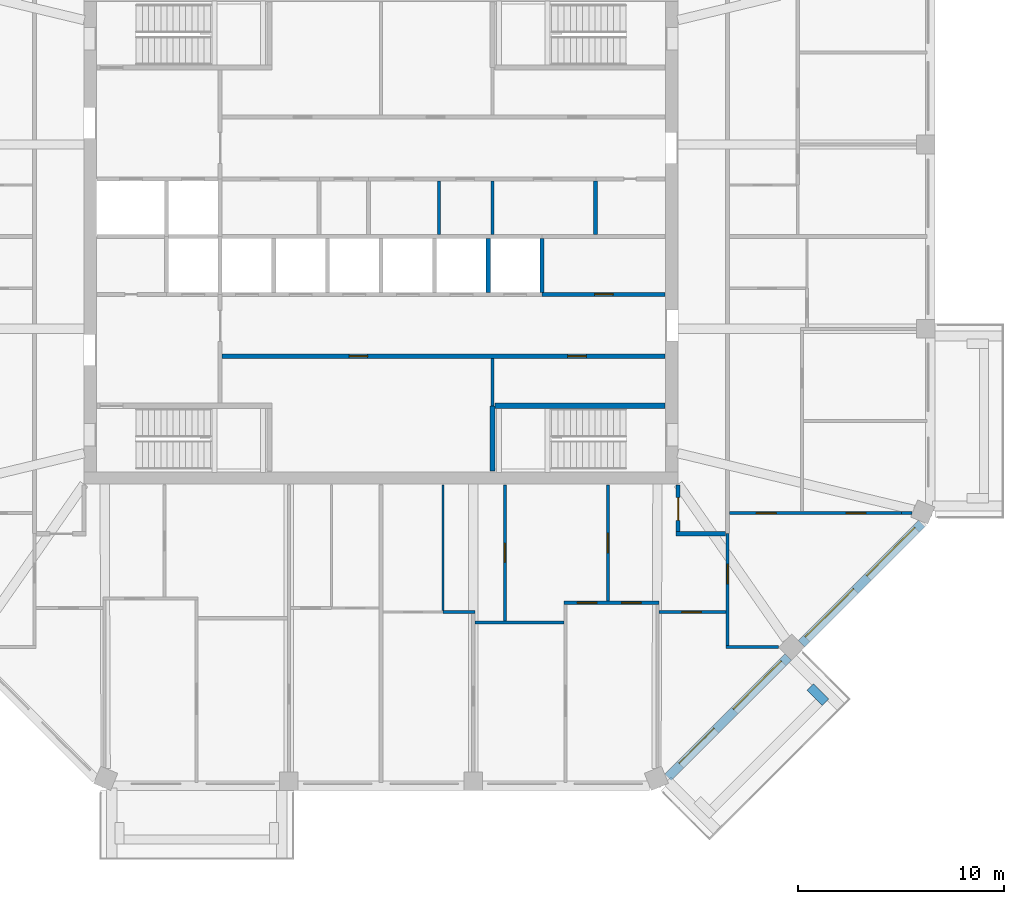
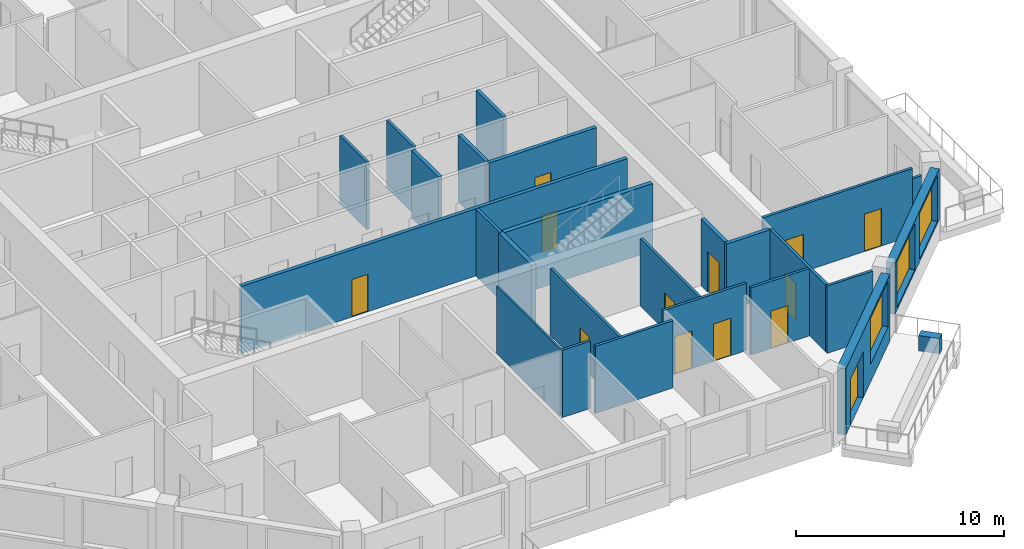
# One storey, part 5 of 11: 26 walls, 13 doors, 3 windows, 16 openings.
"""IFC4 building model written with IfcOpenShell, lengths in metres."""

from ifc_helpers import new_model, si_unit, direction, frame, frame_2d, origin, place, context, subcontext, project, spatial, rectangle, extrude, material, layer, layer_set, type_object, element, fill, save


model = new_model("IFC4")

# Units and contexts
model_context = context("Model", 3, precision=1e-05, world=origin(), true_north=direction((0.0, 1.0)))
body_context = subcontext(model_context, "Body", "Model", "MODEL_VIEW")
ifc_project = project(units=[si_unit("LENGTHUNIT", "METRE"), si_unit("AREAUNIT", "SQUARE_METRE"), si_unit("VOLUMEUNIT", "CUBIC_METRE"), si_unit("PLANEANGLEUNIT", "RADIAN"), si_unit("MASSUNIT", "GRAM", prefix="KILO")], contexts=[model_context])

# Site, building, storey
site_placement = place(None, origin())
site = spatial("IfcSite", under=ifc_project, at=site_placement, CompositionType="ELEMENT")
building_placement = place(site_placement, origin())
building = spatial("IfcBuilding", under=site, at=building_placement, Name="Msitu Wima Residences", CompositionType="ELEMENT")
storey_placement = place(building_placement, frame((0.0, 0.0, 230.699951171875)))
storey = spatial("IfcBuildingStorey", under=building, at=storey_placement, Name="L53", CompositionType="ELEMENT", Elevation=230.699951171875)

# Wall
ifc_material_1 = material(Name="Facing brick")
ifc_layer_1 = layer(ifc_material_1, 0.06494140625, Name="Facing brick")
ifc_material_2 = material(Name="Concrete C40/50", Category="concrete")
ifc_layer_2 = layer(ifc_material_2, 0.156005859375, Name="Concrete C40/50")
ifc_material_3 = material(Name="Waterproofing membrane")
ifc_layer_3 = layer(ifc_material_3, 0.00390625, Name="Waterproofing membrane")
ifc_material_4 = material(Name="Planting soil and planting")
ifc_layer_4 = layer(ifc_material_4, 0.22509765625, Name="Planting soil and planting")
ifc_layer_set_1 = layer_set([ifc_layer_1, ifc_layer_2, ifc_layer_3, ifc_layer_4], Name="Concrete C40/50")
wall_type_1 = type_object("IfcWallType", Name="Balcony planter PLANTER PL450", PredefinedType="USERDEFINED", material=ifc_layer_set_1)
wall_1_placement = place(storey_placement, frame((20.804443359375, -21.829833984375, 0.0), z_axis=(0.0, 0.0, 1.0), x_axis=(0.707106781187, -0.707106781187, 0.0)))
element("IfcWall", 1, at=wall_1_placement, inside=storey, type_object=wall_type_1, Name="Balcony planter SE0 L53", ObjectType="PLANTER", PredefinedType="USERDEFINED", context=body_context, shape_type="SweptSolid", body=[
    extrude(rectangle(XDim=1.050048828125, YDim=0.449951171875, at=frame_2d((0.52490234375, 0.0))), origin(), (0.0, 0.0, 1.0), 0.900146484375),
])

# Wall, openings, door, window
ifc_material_5 = material(Name="Brick (red buff mix)", Category="masonry")
ifc_layer_5 = layer(ifc_material_5, 0.449951171875)
ifc_layer_set_2 = layer_set([ifc_layer_5], Name="Brick (red buff mix)")
wall_type_2 = type_object("IfcWallType", Name="Brick infill wall BW450", PredefinedType="SOLIDWALL", material=ifc_layer_set_2)
wall_2_placement = place(storey_placement, frame((13.909423828125, -26.214599609375, 0.0), z_axis=(0.0, 0.0, 1.0), x_axis=(0.707106781187, 0.707106781187, 0.0)))
wall_2 = element("IfcWall", 2, at=wall_2_placement, inside=storey, type_object=wall_type_2, Name="Brick infill wall L53 SE0", PredefinedType="SOLIDWALL", context=body_context, shape_type="SweptSolid", body=[
    extrude(rectangle(XDim=8.251220703125, YDim=0.449951171875, at=frame_2d((4.12548828125, 0.0))), origin(), (0.0, 0.0, 1.0), 3.900146484375),
])
opening_1_placement = place(wall_2_placement, frame((0.86279296875, 0.0, 0.0)))
opening_1 = element("IfcOpeningElement", 3, at=opening_1_placement, cuts=wall_2, Name="Opening D52-54.006", PredefinedType="OPENING", context=body_context, shape_type="SweptSolid", body=[
    extrude(rectangle(XDim=2.39990234375, YDim=2.699951171875, at=frame_2d((1.199951171875, 1.35009765625))), frame((0.0, 0.23486328125, 0.0), z_axis=(0.0, -1.0, 0.0), x_axis=(1.0, 0.0, 0.0)), (0.0, 0.0, 1.0), 0.469970703125),
])
opening_2_placement = place(wall_2_placement, frame((4.57568359375, 0.0, 1.050048828125)))
opening_2 = element("IfcOpeningElement", 4, at=opening_2_placement, cuts=wall_2, Name="Opening W52-54.022", PredefinedType="OPENING", context=body_context, shape_type="SweptSolid", body=[
    extrude(rectangle(XDim=3.300048828125, YDim=2.699951171875, at=frame_2d((1.64990234375, 1.35009765625))), frame((0.0, 0.23486328125, 0.0), z_axis=(0.0, -1.0, 0.0), x_axis=(1.0, 0.0, 0.0)), (0.0, 0.0, 1.0), 0.469970703125),
])
ifc_material_6 = material(Name="Anodised aluminium, bronze finish, clear low-emissivity double glazing", Category="aluminium")
door_type_1 = type_object("IfcDoorType", Name="Balcony door D2400x2700", OperationType="SLIDING_TO_LEFT", PredefinedType="DOOR", material=ifc_material_6)
door_1_placement = place(opening_1_placement, origin())
door_1 = element("IfcDoor", 5, at=door_1_placement, inside=storey, type_object=door_type_1, Name="Balcony door L53 SE0", OperationType="SINGLE_SWING_LEFT", OverallHeight=2.699951171875, OverallWidth=2.39990234375, PredefinedType="DOOR", context=body_context, shape_type="SweptSolid", body=[
    extrude(rectangle(XDim=2.39990234375, YDim=2.699951171875, at=frame_2d((1.199951171875, 1.35009765625))), frame((0.0, 0.1298828125, 0.0), z_axis=(0.0, -1.0, 0.0), x_axis=(1.0, 0.0, 0.0)), (0.0, 0.0, 1.0), 0.050048828125),
])
fill(opening_1, door_1)
window_type = type_object("IfcWindowType", Name="Window W3300x2700", PartitioningType="DOUBLE_PANEL_VERTICAL", PredefinedType="WINDOW", material=ifc_material_6)
window_1_placement = place(opening_2_placement, origin())
window_1 = element("IfcWindow", 6, at=window_1_placement, inside=storey, type_object=window_type, Name="Window L53 SE0.2", OverallHeight=2.699951171875, OverallWidth=3.300048828125, PartitioningType="SINGLE_PANEL", PredefinedType="WINDOW", context=body_context, shape_type="SweptSolid", body=[
    extrude(rectangle(XDim=3.300048828125, YDim=2.699951171875, at=frame_2d((1.64990234375, 1.35009765625))), frame((0.0, 0.135009765625, 0.0), z_axis=(0.0, -1.0, 0.0), x_axis=(1.0, 0.0, 0.0)), (0.0, 0.0, 1.0), 0.06005859375),
])
fill(opening_2, window_1)

# Wall, openings, windows
wall_3_placement = place(storey_placement, frame((20.380126953125, -19.743896484375, 0.900146484375), z_axis=(0.0, 0.0, 1.0), x_axis=(0.707106781187, 0.707106781187, 0.0)))
wall_3 = element("IfcWall", 7, at=wall_3_placement, inside=storey, type_object=wall_type_2, Name="Brick infill wall L53 SE1", PredefinedType="SOLIDWALL", context=body_context, shape_type="SweptSolid", body=[
    extrude(rectangle(XDim=8.251220703125, YDim=0.449951171875, at=frame_2d((4.12548828125, 0.0))), origin(), (0.0, 0.0, 1.0), 3.0),
])
opening_3_placement = place(wall_3_placement, frame((0.37548828125, 0.0, 0.14990234375)))
opening_3 = element("IfcOpeningElement", 8, at=opening_3_placement, cuts=wall_3, Name="Opening W52-54.023", PredefinedType="OPENING", context=body_context, shape_type="SweptSolid", body=[
    extrude(rectangle(XDim=3.300048828125, YDim=2.699951171875, at=frame_2d((1.64990234375, 1.35009765625))), frame((0.0, 0.23486328125, 0.0), z_axis=(0.0, -1.0, 0.0), x_axis=(1.0, 0.0, 0.0)), (0.0, 0.0, 1.0), 0.469970703125),
])
opening_4_placement = place(wall_3_placement, frame((4.57568359375, 0.0, 0.14990234375)))
opening_4 = element("IfcOpeningElement", 9, at=opening_4_placement, cuts=wall_3, Name="Opening W52-54.024", PredefinedType="OPENING", context=body_context, shape_type="SweptSolid", body=[
    extrude(rectangle(XDim=3.300048828125, YDim=2.699951171875, at=frame_2d((1.64990234375, 1.35009765625))), frame((0.0, 0.23486328125, 0.0), z_axis=(0.0, -1.0, 0.0), x_axis=(1.0, 0.0, 0.0)), (0.0, 0.0, 1.0), 0.469970703125),
])
window_2_placement = place(opening_3_placement, origin())
window_2 = element("IfcWindow", 10, at=window_2_placement, inside=storey, type_object=window_type, Name="Window L53 SE1.1", OverallHeight=2.699951171875, OverallWidth=3.300048828125, PartitioningType="SINGLE_PANEL", PredefinedType="WINDOW", context=body_context, shape_type="SweptSolid", body=[
    extrude(rectangle(XDim=3.300048828125, YDim=2.699951171875, at=frame_2d((1.64990234375, 1.35009765625))), frame((0.0, 0.135009765625, 0.0), z_axis=(0.0, -1.0, 0.0), x_axis=(1.0, 0.0, 0.0)), (0.0, 0.0, 1.0), 0.06005859375),
])
fill(opening_3, window_2)
window_3_placement = place(opening_4_placement, origin())
window_3 = element("IfcWindow", 11, at=window_3_placement, inside=storey, type_object=window_type, Name="Window L53 SE1.2", OverallHeight=2.699951171875, OverallWidth=3.300048828125, PartitioningType="SINGLE_PANEL", PredefinedType="WINDOW", context=body_context, shape_type="SweptSolid", body=[
    extrude(rectangle(XDim=3.300048828125, YDim=2.699951171875, at=frame_2d((1.64990234375, 1.35009765625))), frame((0.0, 0.135009765625, 0.0), z_axis=(0.0, -1.0, 0.0), x_axis=(1.0, 0.0, 0.0)), (0.0, 0.0, 1.0), 0.06005859375),
])
fill(opening_4, window_3)

# Wall, openings, doors
ifc_material_7 = material(Name="Plaster")
ifc_layer_6 = layer(ifc_material_7, 0.011962890625, Name="Plaster")
ifc_material_8 = material(Name="Concrete blockwork", Category="masonry")
ifc_layer_7 = layer(ifc_material_8, 0.176025390625, Name="Concrete blockwork")
ifc_layer_8 = layer(ifc_material_7, 0.011962890625, Name="Plaster")
ifc_layer_set_3 = layer_set([ifc_layer_6, ifc_layer_7, ifc_layer_8], Name="Concrete blockwork")
wall_type_3 = type_object("IfcWallType", Name="Corridor wall FW200", PredefinedType="PARTITIONING", material=ifc_layer_set_3)
wall_4_placement = place(storey_placement, frame((-7.699951171875, -5.800048828125, 0.0), z_axis=(0.0, 0.0, 1.0), x_axis=(1.0, 0.0, 0.0)))
wall_4 = element("IfcWall", 12, at=wall_4_placement, inside=storey, type_object=wall_type_3, Name="Corridor wall", PredefinedType="PARTITIONING", context=body_context, shape_type="SweptSolid", body=[
    extrude(rectangle(XDim=21.469970703125, YDim=0.199951171875, at=frame_2d((10.73486328125, 0.0))), origin(), (0.0, 0.0, 1.0), 3.949951171875),
])
opening_5_placement = place(wall_4_placement, frame((6.14990234375, 0.0, 0.0)))
opening_5 = element("IfcOpeningElement", 13, at=opening_5_placement, cuts=wall_4, Name="Opening D52-54.074", PredefinedType="OPENING", context=body_context, shape_type="SweptSolid", body=[
    extrude(rectangle(XDim=0.89990234375, YDim=2.199951171875, at=frame_2d((0.449951171875, 1.10009765625))), frame((0.0, 0.10986328125, 0.0), z_axis=(0.0, -1.0, 0.0), x_axis=(1.0, 0.0, 0.0)), (0.0, 0.0, 1.0), 0.219970703125),
])
opening_6_placement = place(wall_4_placement, frame((16.75, 0.0, 0.0)))
opening_6 = element("IfcOpeningElement", 14, at=opening_6_placement, cuts=wall_4, Name="Opening D52-54.075", PredefinedType="OPENING", context=body_context, shape_type="SweptSolid", body=[
    extrude(rectangle(XDim=0.89990234375, YDim=2.199951171875, at=frame_2d((0.449951171875, 1.10009765625))), frame((0.0, 0.10986328125, 0.0), z_axis=(0.0, -1.0, 0.0), x_axis=(1.0, 0.0, 0.0)), (0.0, 0.0, 1.0), 0.219970703125),
])
ifc_material_9 = material(Name="Timber flush door", Category="wood")
door_type_2 = type_object("IfcDoorType", Name="Service door D05 900x2200", OperationType="SINGLE_SWING_LEFT", PredefinedType="DOOR", material=ifc_material_9)
door_2_placement = place(opening_5_placement, origin())
door_2 = element("IfcDoor", 15, at=door_2_placement, inside=storey, type_object=door_type_2, Name="Service door", OperationType="SINGLE_SWING_RIGHT", OverallHeight=2.199951171875, OverallWidth=0.89990234375, PredefinedType="DOOR", context=body_context, shape_type="SweptSolid", body=[
    extrude(rectangle(XDim=0.89990234375, YDim=2.199951171875, at=frame_2d((0.449951171875, 1.10009765625))), frame((0.0, 0.02490234375, 0.0), z_axis=(0.0, -1.0, 0.0), x_axis=(1.0, 0.0, 0.0)), (0.0, 0.0, 1.0), 0.050048828125),
])
fill(opening_5, door_2)
door_3_placement = place(opening_6_placement, origin())
door_3 = element("IfcDoor", 16, at=door_3_placement, inside=storey, type_object=door_type_2, Name="Service door", OperationType="SINGLE_SWING_LEFT", OverallHeight=2.199951171875, OverallWidth=0.89990234375, PredefinedType="DOOR", context=body_context, shape_type="SweptSolid", body=[
    extrude(rectangle(XDim=0.89990234375, YDim=2.199951171875, at=frame_2d((0.449951171875, 1.10009765625))), frame((0.0, 0.02490234375, 0.0), z_axis=(0.0, -1.0, 0.0), x_axis=(1.0, 0.0, 0.0)), (0.0, 0.0, 1.0), 0.050048828125),
])
fill(opening_6, door_3)

# Wall, opening, door
wall_5_placement = place(storey_placement, frame((14.39990234375, -14.300048828125, 0.0), z_axis=(0.0, 0.0, 1.0), x_axis=(0.0, 1.0, 0.0)))
wall_5 = element("IfcWall", 17, at=wall_5_placement, inside=storey, type_object=wall_type_3, Name="Corridor wall", PredefinedType="PARTITIONING", context=body_context, shape_type="SweptSolid", body=[
    extrude(rectangle(XDim=2.27001953125, YDim=0.199951171875, at=frame_2d((1.135009765625, 0.0))), origin(), (0.0, 0.0, 1.0), 3.949951171875),
])
opening_7_placement = place(wall_5_placement, frame((0.550048828125, 0.0, 0.0)))
opening_7 = element("IfcOpeningElement", 18, at=opening_7_placement, cuts=wall_5, Name="Opening D52-54.051", PredefinedType="OPENING", context=body_context, shape_type="SweptSolid", body=[
    extrude(rectangle(XDim=1.10009765625, YDim=2.39990234375, at=frame_2d((0.550048828125, 1.199951171875))), frame((0.0, 0.10986328125, 0.0), z_axis=(0.0, -1.0, 0.0), x_axis=(1.0, 0.0, 0.0)), (0.0, 0.0, 1.0), 0.219970703125),
])
ifc_material_10 = material(Name="Timber flush door, fire resisting, self-closing", Category="wood")
door_type_3 = type_object("IfcDoorType", Name="Flat entrance door D01 1100x2400", OperationType="SINGLE_SWING_LEFT", PredefinedType="DOOR", material=ifc_material_10)
door_4_placement = place(opening_7_placement, origin())
door_4 = element("IfcDoor", 19, at=door_4_placement, inside=storey, type_object=door_type_3, Name="Flat entrance door", OperationType="SINGLE_SWING_RIGHT", OverallHeight=2.39990234375, OverallWidth=1.10009765625, PredefinedType="DOOR", context=body_context, shape_type="SweptSolid", body=[
    extrude(rectangle(XDim=1.10009765625, YDim=2.39990234375, at=frame_2d((0.550048828125, 1.199951171875))), frame((0.0, 0.02490234375, 0.0), z_axis=(0.0, -1.0, 0.0), x_axis=(1.0, 0.0, 0.0)), (0.0, 0.0, 1.0), 0.050048828125),
])
fill(opening_7, door_4)

# Walls
wall_6_placement = place(storey_placement, frame((14.300048828125, -14.39990234375, 0.0), z_axis=(0.0, 0.0, 1.0), x_axis=(1.0, 0.0, 0.0)))
element("IfcWall", 20, at=wall_6_placement, inside=storey, type_object=wall_type_3, Name="Corridor wall", PredefinedType="PARTITIONING", context=body_context, shape_type="SweptSolid", body=[
    extrude(rectangle(XDim=2.39990234375, YDim=0.199951171875, at=frame_2d((1.199951171875, 0.0))), origin(), (0.0, 0.0, 1.0), 3.949951171875),
])
ifc_layer_9 = layer(ifc_material_7, 0.011962890625, Name="Plaster")
ifc_layer_10 = layer(ifc_material_8, 0.1259765625, Name="Concrete blockwork")
ifc_layer_11 = layer(ifc_material_7, 0.011962890625, Name="Plaster")
ifc_layer_set_4 = layer_set([ifc_layer_9, ifc_layer_10, ifc_layer_11], Name="Concrete blockwork")
wall_type_4 = type_object("IfcWallType", Name="Partition PW150", PredefinedType="PARTITIONING", material=ifc_layer_set_4)
wall_7_placement = place(storey_placement, frame((2.800048828125, 0.10009765625, 0.0), z_axis=(0.0, 0.0, 1.0), x_axis=(0.0, 1.0, 0.0)))
element("IfcWall", 21, at=wall_7_placement, inside=storey, type_object=wall_type_4, Name="Partition", PredefinedType="PARTITIONING", context=body_context, shape_type="SweptSolid", body=[
    extrude(rectangle(XDim=2.599853515625, YDim=0.14990234375, at=frame_2d((1.2998046875, 0.0))), origin(), (0.0, 0.0, 1.0), 3.949951171875),
])
wall_8_placement = place(storey_placement, frame((3.0, -18.199951171875, 0.0), z_axis=(0.0, 0.0, 1.0), x_axis=(1.0, 0.0, 0.0)))
element("IfcWall", 22, at=wall_8_placement, inside=storey, type_object=wall_type_4, Name="Partition", PredefinedType="PARTITIONING", context=body_context, shape_type="SweptSolid", body=[
    extrude(rectangle(XDim=1.543701171875, YDim=0.14990234375, at=frame_2d((0.77197265625, 0.0))), origin(), (0.0, 0.0, 1.0), 3.949951171875),
])
wall_9_placement = place(storey_placement, frame((4.543701171875, -18.699951171875, 0.0), z_axis=(0.0, 0.0, 1.0), x_axis=(1.0, 0.0, 0.0)))
element("IfcWall", 23, at=wall_9_placement, inside=storey, type_object=wall_type_4, Name="Partition", PredefinedType="PARTITIONING", context=body_context, shape_type="SweptSolid", body=[
    extrude(rectangle(XDim=4.318603515625, YDim=0.14990234375, at=frame_2d((2.1591796875, 0.0))), origin(), (0.0, 0.0, 1.0), 3.949951171875),
])
wall_10_placement = place(storey_placement, frame((5.39990234375, -8.199951171875, 0.0), z_axis=(0.0, 0.0, 1.0), x_axis=(0.0, 1.0, 0.0)))
element("IfcWall", 24, at=wall_10_placement, inside=storey, type_object=wall_type_4, Name="Partition", PredefinedType="PARTITIONING", context=body_context, shape_type="SweptSolid", body=[
    extrude(rectangle(XDim=2.300048828125, YDim=0.14990234375, at=frame_2d((1.14990234375, 0.0))), origin(), (0.0, 0.0, 1.0), 3.949951171875),
])
wall_11_placement = place(storey_placement, frame((5.39990234375, 0.10009765625, 0.0), z_axis=(0.0, 0.0, 1.0), x_axis=(0.0, 1.0, 0.0)))
element("IfcWall", 25, at=wall_11_placement, inside=storey, type_object=wall_type_4, Name="Partition", PredefinedType="PARTITIONING", context=body_context, shape_type="SweptSolid", body=[
    extrude(rectangle(XDim=2.599853515625, YDim=0.14990234375, at=frame_2d((1.2998046875, 0.0))), origin(), (0.0, 0.0, 1.0), 3.949951171875),
])

# Wall, opening, door
wall_12_placement = place(storey_placement, frame((6.0, -18.625, 0.0), z_axis=(0.0, 0.0, 1.0), x_axis=(0.0, 1.0, 0.0)))
wall_12 = element("IfcWall", 26, at=wall_12_placement, inside=storey, type_object=wall_type_4, Name="Partition", PredefinedType="PARTITIONING", context=body_context, shape_type="SweptSolid", body=[
    extrude(rectangle(XDim=6.594970703125, YDim=0.14990234375, at=frame_2d((3.29736328125, 0.0))), origin(), (0.0, 0.0, 1.0), 3.949951171875),
])
opening_8_placement = place(wall_12_placement, frame((2.85009765625, 0.0, 0.0)))
opening_8 = element("IfcOpeningElement", 27, at=opening_8_placement, cuts=wall_12, Name="Opening D52-54.061", PredefinedType="OPENING", context=body_context, shape_type="SweptSolid", body=[
    extrude(rectangle(XDim=0.89990234375, YDim=2.199951171875, at=frame_2d((0.449951171875, 1.10009765625))), frame((0.0, 0.0849609375, 0.0), z_axis=(0.0, -1.0, 0.0), x_axis=(1.0, 0.0, 0.0)), (0.0, 0.0, 1.0), 0.169921875),
])
door_5_placement = place(opening_8_placement, origin())
door_5 = element("IfcDoor", 28, at=door_5_placement, inside=storey, type_object=door_type_2, Name="Service door", OperationType="SINGLE_SWING_LEFT", OverallHeight=2.199951171875, OverallWidth=0.89990234375, PredefinedType="DOOR", context=body_context, shape_type="SweptSolid", body=[
    extrude(rectangle(XDim=0.89990234375, YDim=2.199951171875, at=frame_2d((0.449951171875, 1.10009765625))), frame((0.0, 0.02490234375, 0.0), z_axis=(0.0, -1.0, 0.0), x_axis=(1.0, 0.0, 0.0)), (0.0, 0.0, 1.0), 0.050048828125),
])
fill(opening_8, door_5)

# Wall, openings, doors
wall_13_placement = place(storey_placement, frame((8.8623046875, -17.75, 0.0), z_axis=(0.0, 0.0, 1.0), x_axis=(1.0, 0.0, 0.0)))
wall_13 = element("IfcWall", 29, at=wall_13_placement, inside=storey, type_object=wall_type_4, Name="Partition", PredefinedType="PARTITIONING", context=body_context, shape_type="SweptSolid", body=[
    extrude(rectangle(XDim=4.61865234375, YDim=0.14990234375, at=frame_2d((2.309326171875, 0.0))), origin(), (0.0, 0.0, 1.0), 3.949951171875),
])
opening_9_placement = place(wall_13_placement, frame((2.800048828125, 0.0, 0.0)))
opening_9 = element("IfcOpeningElement", 30, at=opening_9_placement, cuts=wall_13, Name="Opening D52-54.058", PredefinedType="OPENING", context=body_context, shape_type="SweptSolid", body=[
    extrude(rectangle(XDim=0.949951171875, YDim=2.199951171875, at=frame_2d((0.47509765625, 1.10009765625))), frame((0.0, 0.0849609375, 0.0), z_axis=(0.0, -1.0, 0.0), x_axis=(1.0, 0.0, 0.0)), (0.0, 0.0, 1.0), 0.169921875),
])
opening_10_placement = place(wall_13_placement, frame((0.64990234375, 0.0, 0.0)))
opening_10 = element("IfcOpeningElement", 31, at=opening_10_placement, cuts=wall_13, Name="Opening D52-54.057", PredefinedType="OPENING", context=body_context, shape_type="SweptSolid", body=[
    extrude(rectangle(XDim=0.949951171875, YDim=2.199951171875, at=frame_2d((0.47509765625, 1.10009765625))), frame((0.0, 0.0849609375, 0.0), z_axis=(0.0, -1.0, 0.0), x_axis=(1.0, 0.0, 0.0)), (0.0, 0.0, 1.0), 0.169921875),
])
door_type_4 = type_object("IfcDoorType", Name="Room door D12 950x2200", OperationType="SINGLE_SWING_LEFT", PredefinedType="DOOR", material=ifc_material_9)
door_6_placement = place(opening_9_placement, origin())
door_6 = element("IfcDoor", 32, at=door_6_placement, inside=storey, type_object=door_type_4, Name="Room door", OperationType="SINGLE_SWING_LEFT", OverallHeight=2.199951171875, OverallWidth=0.949951171875, PredefinedType="DOOR", context=body_context, shape_type="SweptSolid", body=[
    extrude(rectangle(XDim=0.949951171875, YDim=2.199951171875, at=frame_2d((0.47509765625, 1.10009765625))), frame((0.0, 0.02490234375, 0.0), z_axis=(0.0, -1.0, 0.0), x_axis=(1.0, 0.0, 0.0)), (0.0, 0.0, 1.0), 0.050048828125),
])
fill(opening_9, door_6)
door_7_placement = place(opening_10_placement, origin())
door_7 = element("IfcDoor", 33, at=door_7_placement, inside=storey, type_object=door_type_4, Name="Room door", OperationType="SINGLE_SWING_RIGHT", OverallHeight=2.199951171875, OverallWidth=0.949951171875, PredefinedType="DOOR", context=body_context, shape_type="SweptSolid", body=[
    extrude(rectangle(XDim=0.949951171875, YDim=2.199951171875, at=frame_2d((0.47509765625, 1.10009765625))), frame((0.0, 0.02490234375, 0.0), z_axis=(0.0, -1.0, 0.0), x_axis=(1.0, 0.0, 0.0)), (0.0, 0.0, 1.0), 0.050048828125),
])
fill(opening_10, door_7)

# Wall, opening, door
wall_14_placement = place(storey_placement, frame((11.0, -17.675048828125, 0.0), z_axis=(0.0, 0.0, 1.0), x_axis=(0.0, 1.0, 0.0)))
wall_14 = element("IfcWall", 34, at=wall_14_placement, inside=storey, type_object=wall_type_4, Name="Partition", PredefinedType="PARTITIONING", context=body_context, shape_type="SweptSolid", body=[
    extrude(rectangle(XDim=5.64501953125, YDim=0.14990234375, at=frame_2d((2.822509765625, 0.0))), origin(), (0.0, 0.0, 1.0), 3.949951171875),
])
opening_11_placement = place(wall_14_placement, frame((2.35009765625, 0.0, 0.0)))
opening_11 = element("IfcOpeningElement", 35, at=opening_11_placement, cuts=wall_14, Name="Opening D52-54.052", PredefinedType="OPENING", context=body_context, shape_type="SweptSolid", body=[
    extrude(rectangle(XDim=0.949951171875, YDim=2.199951171875, at=frame_2d((0.47509765625, 1.10009765625))), frame((0.0, 0.0849609375, 0.0), z_axis=(0.0, -1.0, 0.0), x_axis=(1.0, 0.0, 0.0)), (0.0, 0.0, 1.0), 0.169921875),
])
door_8_placement = place(opening_11_placement, origin())
door_8 = element("IfcDoor", 36, at=door_8_placement, inside=storey, type_object=door_type_4, Name="Room door", OperationType="SINGLE_SWING_LEFT", OverallHeight=2.199951171875, OverallWidth=0.949951171875, PredefinedType="DOOR", context=body_context, shape_type="SweptSolid", body=[
    extrude(rectangle(XDim=0.949951171875, YDim=2.199951171875, at=frame_2d((0.47509765625, 1.10009765625))), frame((0.0, 0.02490234375, 0.0), z_axis=(0.0, -1.0, 0.0), x_axis=(1.0, 0.0, 0.0)), (0.0, 0.0, 1.0), 0.050048828125),
])
fill(opening_11, door_8)

wall_15_placement = place(storey_placement, frame((13.48095703125, -18.199951171875, 0.0), z_axis=(0.0, 0.0, 1.0), x_axis=(1.0, 0.0, 0.0)))
wall_15 = element("IfcWall", 37, at=wall_15_placement, inside=storey, type_object=wall_type_4, Name="Partition", PredefinedType="PARTITIONING", context=body_context, shape_type="SweptSolid", body=[
    extrude(rectangle(XDim=3.244140625, YDim=0.14990234375, at=frame_2d((1.6220703125, 0.0))), origin(), (0.0, 0.0, 1.0), 3.949951171875),
])
opening_12_placement = place(wall_15_placement, frame((1.10009765625, 0.0, 0.0)))
opening_12 = element("IfcOpeningElement", 38, at=opening_12_placement, cuts=wall_15, Name="Opening D52-54.059", PredefinedType="OPENING", context=body_context, shape_type="SweptSolid", body=[
    extrude(rectangle(XDim=0.949951171875, YDim=2.199951171875, at=frame_2d((0.47509765625, 1.10009765625))), frame((0.0, 0.0849609375, 0.0), z_axis=(0.0, -1.0, 0.0), x_axis=(1.0, 0.0, 0.0)), (0.0, 0.0, 1.0), 0.169921875),
])
door_9_placement = place(opening_12_placement, origin())
door_9 = element("IfcDoor", 39, at=door_9_placement, inside=storey, type_object=door_type_4, Name="Room door", OperationType="SINGLE_SWING_RIGHT", OverallHeight=2.199951171875, OverallWidth=0.949951171875, PredefinedType="DOOR", context=body_context, shape_type="SweptSolid", body=[
    extrude(rectangle(XDim=0.949951171875, YDim=2.199951171875, at=frame_2d((0.47509765625, 1.10009765625))), frame((0.0, 0.02490234375, 0.0), z_axis=(0.0, -1.0, 0.0), x_axis=(1.0, 0.0, 0.0)), (0.0, 0.0, 1.0), 0.050048828125),
])
fill(opening_12, door_9)

wall_16_placement = place(storey_placement, frame((16.800048828125, -19.827880859375, 0.0), z_axis=(0.0, 0.0, 1.0), x_axis=(0.0, 1.0, 0.0)))
wall_16 = element("IfcWall", 40, at=wall_16_placement, inside=storey, type_object=wall_type_4, Name="Partition", PredefinedType="PARTITIONING", context=body_context, shape_type="SweptSolid", body=[
    extrude(rectangle(XDim=5.427978515625, YDim=0.14990234375, at=frame_2d((2.7138671875, 0.0))), origin(), (0.0, 0.0, 1.0), 3.949951171875),
])
opening_13_placement = place(wall_16_placement, frame((3.0, 0.0, 0.0)))
opening_13 = element("IfcOpeningElement", 41, at=opening_13_placement, cuts=wall_16, Name="Opening D52-54.060", PredefinedType="OPENING", context=body_context, shape_type="SweptSolid", body=[
    extrude(rectangle(XDim=0.949951171875, YDim=2.199951171875, at=frame_2d((0.47509765625, 1.10009765625))), frame((0.0, 0.0849609375, 0.0), z_axis=(0.0, -1.0, 0.0), x_axis=(1.0, 0.0, 0.0)), (0.0, 0.0, 1.0), 0.169921875),
])
door_10_placement = place(opening_13_placement, origin())
door_10 = element("IfcDoor", 42, at=door_10_placement, inside=storey, type_object=door_type_4, Name="Room door", OperationType="SINGLE_SWING_LEFT", OverallHeight=2.199951171875, OverallWidth=0.949951171875, PredefinedType="DOOR", context=body_context, shape_type="SweptSolid", body=[
    extrude(rectangle(XDim=0.949951171875, YDim=2.199951171875, at=frame_2d((0.47509765625, 1.10009765625))), frame((0.0, 0.02490234375, 0.0), z_axis=(0.0, -1.0, 0.0), x_axis=(1.0, 0.0, 0.0)), (0.0, 0.0, 1.0), 0.050048828125),
])
fill(opening_13, door_10)

# Wall
wall_17_placement = place(storey_placement, frame((16.72509765625, -19.90283203125, 0.0), z_axis=(0.0, 0.0, 1.0), x_axis=(1.0, 0.0, 0.0)))
element("IfcWall", 43, at=wall_17_placement, inside=storey, type_object=wall_type_4, Name="Partition", PredefinedType="PARTITIONING", context=body_context, shape_type="SweptSolid", body=[
    extrude(rectangle(XDim=2.54150390625, YDim=0.14990234375, at=frame_2d((1.270751953125, 0.0))), origin(), (0.0, 0.0, 1.0), 3.949951171875),
])

# Wall, openings, doors
wall_18_placement = place(storey_placement, frame((16.89990234375, -13.406005859375, 0.0), z_axis=(0.0, 0.0, 1.0), x_axis=(1.0, 0.0, 0.0)))
wall_18 = element("IfcWall", 44, at=wall_18_placement, inside=storey, type_object=wall_type_4, Name="Partition", PredefinedType="PARTITIONING", context=body_context, shape_type="SweptSolid", body=[
    extrude(rectangle(XDim=8.32421875, YDim=0.14990234375, at=frame_2d((4.162109375, 0.0))), origin(), (0.0, 0.0, 1.0), 3.949951171875),
])
opening_14_placement = place(wall_18_placement, frame((1.300048828125, 0.0, 0.0)))
opening_14 = element("IfcOpeningElement", 45, at=opening_14_placement, cuts=wall_18, Name="Opening D52-54.063", PredefinedType="OPENING", context=body_context, shape_type="SweptSolid", body=[
    extrude(rectangle(XDim=0.949951171875, YDim=2.199951171875, at=frame_2d((0.47509765625, 1.10009765625))), frame((0.0, 0.0849609375, 0.0), z_axis=(0.0, -1.0, 0.0), x_axis=(1.0, 0.0, 0.0)), (0.0, 0.0, 1.0), 0.169921875),
])
opening_15_placement = place(wall_18_placement, frame((5.64990234375, 0.0, 0.0)))
opening_15 = element("IfcOpeningElement", 46, at=opening_15_placement, cuts=wall_18, Name="Opening D52-54.053", PredefinedType="OPENING", context=body_context, shape_type="SweptSolid", body=[
    extrude(rectangle(XDim=0.949951171875, YDim=2.199951171875, at=frame_2d((0.47509765625, 1.10009765625))), frame((0.0, 0.0849609375, 0.0), z_axis=(0.0, -1.0, 0.0), x_axis=(1.0, 0.0, 0.0)), (0.0, 0.0, 1.0), 0.169921875),
])
door_11_placement = place(opening_14_placement, origin())
door_11 = element("IfcDoor", 47, at=door_11_placement, inside=storey, type_object=door_type_4, Name="Room door", OperationType="SINGLE_SWING_RIGHT", OverallHeight=2.199951171875, OverallWidth=0.949951171875, PredefinedType="DOOR", context=body_context, shape_type="SweptSolid", body=[
    extrude(rectangle(XDim=0.949951171875, YDim=2.199951171875, at=frame_2d((0.47509765625, 1.10009765625))), frame((0.0, 0.02490234375, 0.0), z_axis=(0.0, -1.0, 0.0), x_axis=(1.0, 0.0, 0.0)), (0.0, 0.0, 1.0), 0.050048828125),
])
fill(opening_14, door_11)
door_12_placement = place(opening_15_placement, origin())
door_12 = element("IfcDoor", 48, at=door_12_placement, inside=storey, type_object=door_type_4, Name="Room door", OperationType="SINGLE_SWING_LEFT", OverallHeight=2.199951171875, OverallWidth=0.949951171875, PredefinedType="DOOR", context=body_context, shape_type="SweptSolid", body=[
    extrude(rectangle(XDim=0.949951171875, YDim=2.199951171875, at=frame_2d((0.47509765625, 1.10009765625))), frame((0.0, 0.02490234375, 0.0), z_axis=(0.0, -1.0, 0.0), x_axis=(1.0, 0.0, 0.0)), (0.0, 0.0, 1.0), 0.050048828125),
])
fill(opening_15, door_12)

# Wall
wall_19_placement = place(storey_placement, frame((25.22412109375, -13.406005859375, 0.0), z_axis=(0.0, 0.0, 1.0), x_axis=(1.0, 0.0, 0.0)))
element("IfcWall", 49, at=wall_19_placement, inside=storey, type_object=wall_type_4, Name="Partition", PredefinedType="PARTITIONING", context=body_context, shape_type="SweptSolid", body=[
    extrude(rectangle(XDim=0.507080078125, YDim=0.14990234375, at=frame_2d((0.25341796875, 0.0))), origin(), (0.0, 0.0, 1.0), 3.35009765625),
])

# Wall, opening, door
ifc_layer_12 = layer(ifc_material_7, 0.011962890625, Name="Plaster")
ifc_material_11 = material(Name="Reinforced concrete blockwork", Category="masonry")
ifc_layer_13 = layer(ifc_material_11, 0.176025390625, Name="Reinforced concrete blockwork")
ifc_layer_14 = layer(ifc_material_7, 0.011962890625, Name="Plaster")
ifc_layer_set_5 = layer_set([ifc_layer_12, ifc_layer_13, ifc_layer_14], Name="Reinforced concrete blockwork")
wall_type_5 = type_object("IfcWallType", Name="Plant and riser wall PL200", PredefinedType="PARTITIONING", material=ifc_layer_set_5)
wall_20_placement = place(storey_placement, frame((7.800048828125, -2.800048828125, 0.0), z_axis=(0.0, 0.0, 1.0), x_axis=(1.0, 0.0, 0.0)))
wall_20 = element("IfcWall", 50, at=wall_20_placement, inside=storey, type_object=wall_type_5, Name="Plant and riser wall", PredefinedType="PARTITIONING", context=body_context, shape_type="SweptSolid", body=[
    extrude(rectangle(XDim=5.969970703125, YDim=0.199951171875, at=frame_2d((2.98486328125, 0.0))), origin(), (0.0, 0.0, 1.0), 3.949951171875),
])
opening_16_placement = place(wall_20_placement, frame((2.550048828125, 0.0, 0.0)))
opening_16 = element("IfcOpeningElement", 51, at=opening_16_placement, cuts=wall_20, Name="Opening D52-54.066", PredefinedType="OPENING", context=body_context, shape_type="SweptSolid", body=[
    extrude(rectangle(XDim=0.89990234375, YDim=2.199951171875, at=frame_2d((0.449951171875, 1.10009765625))), frame((0.0, 0.10986328125, 0.0), z_axis=(0.0, -1.0, 0.0), x_axis=(1.0, 0.0, 0.0)), (0.0, 0.0, 1.0), 0.219970703125),
])
door_13_placement = place(opening_16_placement, origin())
door_13 = element("IfcDoor", 52, at=door_13_placement, inside=storey, type_object=door_type_2, Name="Service door", OperationType="SINGLE_SWING_LEFT", OverallHeight=2.199951171875, OverallWidth=0.89990234375, PredefinedType="DOOR", context=body_context, shape_type="SweptSolid", body=[
    extrude(rectangle(XDim=0.89990234375, YDim=2.199951171875, at=frame_2d((0.449951171875, 1.10009765625))), frame((0.0, 0.02490234375, 0.0), z_axis=(0.0, -1.0, 0.0), x_axis=(1.0, 0.0, 0.0)), (0.0, 0.0, 1.0), 0.050048828125),
])
fill(opening_16, door_13)

# Walls
wall_21_placement = place(storey_placement, frame((10.39990234375, 0.10009765625, 0.0), z_axis=(0.0, 0.0, 1.0), x_axis=(0.0, 1.0, 0.0)))
element("IfcWall", 53, at=wall_21_placement, inside=storey, type_object=wall_type_5, Name="Plant and riser wall", PredefinedType="PARTITIONING", context=body_context, shape_type="SweptSolid", body=[
    extrude(rectangle(XDim=2.599853515625, YDim=0.199951171875, at=frame_2d((1.2998046875, 0.0))), origin(), (0.0, 0.0, 1.0), 3.949951171875),
])
ifc_material_12 = material(Name="Fire-rated board")
ifc_layer_15 = layer(ifc_material_12, 0.02490234375, Name="Fire-rated board")
ifc_material_13 = material(Name="Light-gauge stud framing with mineral wool")
ifc_layer_16 = layer(ifc_material_13, 0.14990234375, Name="Light-gauge stud framing with mineral wool")
ifc_layer_17 = layer(ifc_material_12, 0.02490234375, Name="Fire-rated board")
ifc_layer_set_6 = layer_set([ifc_layer_15, ifc_layer_16, ifc_layer_17], Name="Light-gauge stud framing with mineral wool")
wall_type_6 = type_object("IfcWallType", Name="Shaft wall SH200", PredefinedType="PARTITIONING", material=ifc_layer_set_6)
for number, where, z_axis, x_axis, name in (
    (54, (5.199951171875, -2.699951171875, 0.0), (0.0, 0.0, 1.0), (0.0, 1.0, 0.0), "Shaft wall"),
    (55, (7.800048828125, -2.699951171875, 0.0), (0.0, 0.0, 1.0), (0.0, 1.0, 0.0), "Shaft wall"),
):
    element("IfcWall", number, at=place(storey_placement, frame(where, z_axis=z_axis, x_axis=x_axis)), inside=storey, type_object=wall_type_6, Name=name, PredefinedType="PARTITIONING", context=body_context, shape_type="SweptSolid", body=[
        extrude(rectangle(XDim=2.599853515625, YDim=0.199951171875, at=frame_2d((1.2998046875, 0.0))), origin(), (0.0, 0.0, 1.0), 3.949951171875),
    ])
ifc_material_14 = material(Name="Concrete C50/60", Category="concrete")
ifc_layer_18 = layer(ifc_material_14, 0.25)
ifc_layer_set_7 = layer_set([ifc_layer_18], Name="Concrete C50/60")
wall_type_7 = type_object("IfcWallType", Name="Stair enclosure wall SW250", PredefinedType="SHEAR", material=ifc_layer_set_7)
wall_22_placement = place(storey_placement, frame((5.39990234375, -11.3701171875, 0.0), z_axis=(0.0, 0.0, 1.0), x_axis=(0.0, 1.0, 0.0)))
element("IfcWall", 56, at=wall_22_placement, inside=storey, type_object=wall_type_7, Name="Stair enclosure wall", PredefinedType="SHEAR", context=body_context, shape_type="SweptSolid", body=[
    extrude(rectangle(XDim=3.170166015625, YDim=0.25, at=frame_2d((1.5849609375, 0.0))), origin(), (0.0, 0.0, 1.0), 3.949951171875),
])
wall_23_placement = place(storey_placement, frame((5.52490234375, -8.199951171875, 0.0), z_axis=(0.0, 0.0, 1.0), x_axis=(1.0, 0.0, 0.0)))
element("IfcWall", 57, at=wall_23_placement, inside=storey, type_object=wall_type_7, Name="Stair enclosure wall", PredefinedType="SHEAR", context=body_context, shape_type="SweptSolid", body=[
    extrude(rectangle(XDim=8.2451171875, YDim=0.25, at=frame_2d((4.12255859375, 0.0))), origin(), (0.0, 0.0, 1.0), 3.949951171875),
])
ifc_material_15 = material(Name="Ceramic tiles")
ifc_layer_19 = layer(ifc_material_15, 0.008056640625, Name="Ceramic tiles")
ifc_material_16 = material(Name="Moisture-resistant board")
ifc_layer_20 = layer(ifc_material_16, 0.012451171875, Name="Moisture-resistant board")
ifc_layer_21 = layer(ifc_material_13, 0.06689453125, Name="Light-gauge stud framing with mineral wool")
ifc_layer_22 = layer(ifc_material_16, 0.012451171875, Name="Moisture-resistant board")
ifc_layer_set_8 = layer_set([ifc_layer_19, ifc_layer_20, ifc_layer_21, ifc_layer_22], Name="Light-gauge stud framing with mineral wool")
wall_type_8 = type_object("IfcWallType", Name="Wet wall PW100", PredefinedType="PARTITIONING", material=ifc_layer_set_8)
wall_24_placement = place(storey_placement, frame((3.0, -18.125, 0.0), z_axis=(0.0, 0.0, 1.0), x_axis=(0.0, 1.0, 0.0)))
element("IfcWall", 58, at=wall_24_placement, inside=storey, type_object=wall_type_8, Name="Wet wall", PredefinedType="PARTITIONING", context=body_context, shape_type="SweptSolid", body=[
    extrude(rectangle(XDim=6.094970703125, YDim=0.10009765625, at=frame_2d((3.04736328125, 0.0))), origin(), (0.0, 0.0, 1.0), 3.949951171875),
])

save(model, "model.ifc")
